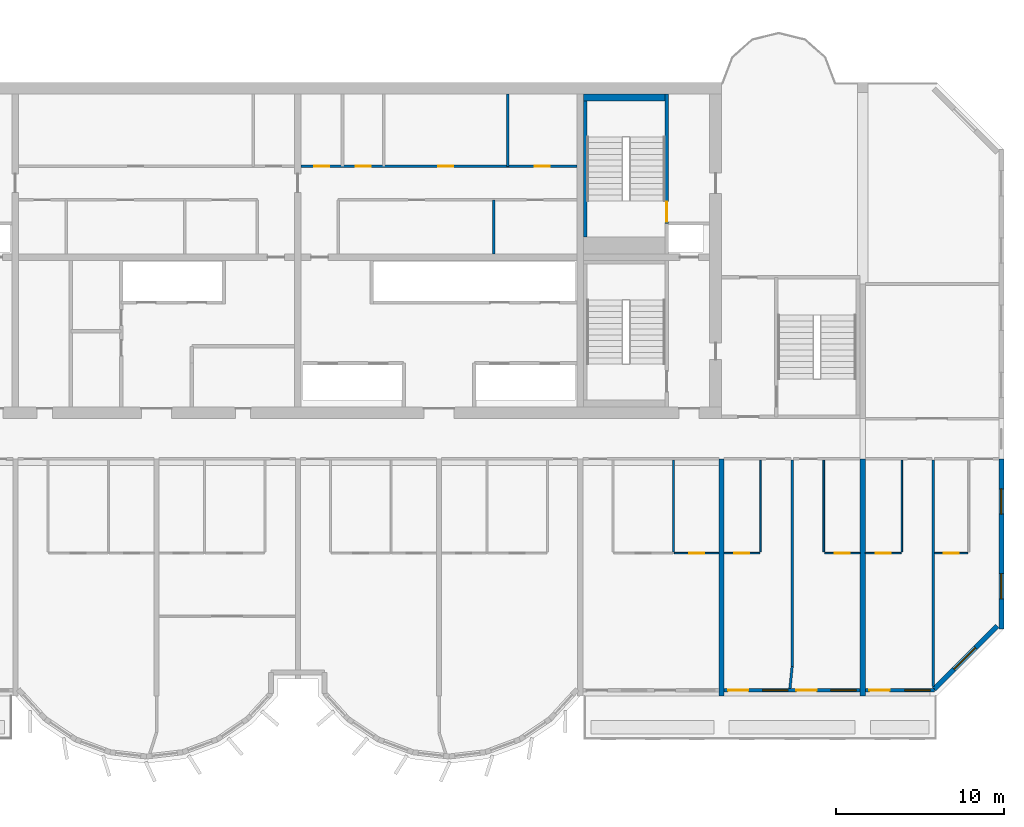
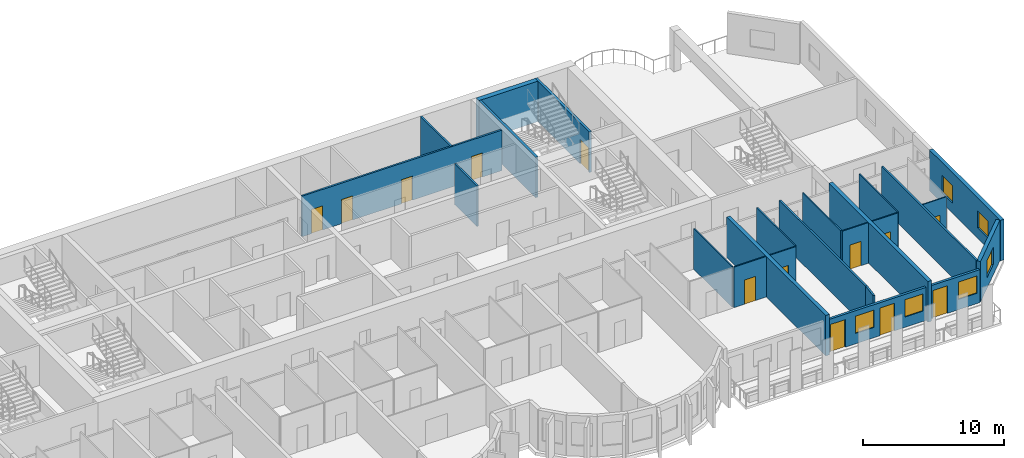
# One storey, part 8 of 13: 24 walls, 13 doors, 6 windows, 19 openings.
"""IFC4 building model written with IfcOpenShell, lengths in metres."""

from ifc_helpers import new_model, si_unit, direction, frame, frame_2d, origin, place, context, subcontext, project, spatial, rectangle, extrude, source, transform, mapped, material, layer, layer_set, type_object, element, fill, save


model = new_model("IFC4")

# Units and contexts
model_context = context("Model", 3, precision=1e-05, world=origin(), true_north=direction((0.0, 1.0)))
body_context = subcontext(model_context, "Body", "Model", "MODEL_VIEW")
ifc_project = project(units=[si_unit("LENGTHUNIT", "METRE"), si_unit("AREAUNIT", "SQUARE_METRE"), si_unit("VOLUMEUNIT", "CUBIC_METRE"), si_unit("PLANEANGLEUNIT", "RADIAN"), si_unit("MASSUNIT", "GRAM", prefix="KILO")], contexts=[model_context])

# Site, building, storey
site_placement = place(None, origin())
site = spatial("IfcSite", under=ifc_project, at=site_placement, CompositionType="ELEMENT")
building_placement = place(site_placement, origin())
building = spatial("IfcBuilding", under=site, at=building_placement, Name="Vanashikhar Sky Hotel", CompositionType="ELEMENT")
storey_placement = place(building_placement, frame((0.0, 0.0, 185.800048828125)))
storey = spatial("IfcBuildingStorey", under=building, at=storey_placement, Name="L45", CompositionType="ELEMENT", Elevation=185.800048828125)

# Wall, openings, windows
ifc_material_1 = material(Name="Concrete M60", Category="concrete")
ifc_layer_1 = layer(ifc_material_1, 0.300048828125)
ifc_layer_set_1 = layer_set([ifc_layer_1], Name="RC shear wall 300 Concrete M60")
wall_type_1 = type_object("IfcWallType", Name="RC shear wall 300 Concrete M60", PredefinedType="SHEAR", material=ifc_layer_set_1)
shared_shape_1 = source(origin(), body_context, "Body", "SweptSolid", [
    extrude(rectangle(XDim=10.10009765625, YDim=0.300048828125, at=frame_2d((5.050048828125, 0.0))), origin(), (0.0, 0.0, 1.0), 3.52001953125),
])
wall_1_placement = place(storey_placement, frame((92.25, 9.5, 0.0), z_axis=(0.0, 0.0, 1.0), x_axis=(0.0, 1.0, 0.0)))
wall_1 = element("IfcWall", 1, at=wall_1_placement, inside=storey, type_object=wall_type_1, Name="CW-L45-XW12-1", PredefinedType="SHEAR", context=body_context, shape_type="MappedRepresentation", body=[
    mapped(shared_shape_1, transform((0.0, 0.0, 0.0), scale=1.0)),
])
shared_shape_2 = source(origin(), body_context, "Body", "SweptSolid", [
    extrude(rectangle(XDim=1.5, YDim=1.5, at=frame_2d((0.75, 0.75))), frame((0.0, 0.16015625, 0.0), z_axis=(0.0, -1.0, 0.0), x_axis=(1.0, 0.0, 0.0)), (0.0, 0.0, 1.0), 0.320068359375),
])
opening_1_placement = place(wall_1_placement, frame((1.77490234375, 0.0, 0.89990234375)))
opening_1 = element("IfcOpeningElement", 2, at=opening_1_placement, cuts=wall_1, Name="Opening WN-1", PredefinedType="OPENING", context=body_context, shape_type="MappedRepresentation", body=[
    mapped(shared_shape_2, transform((0.0, 0.0, 0.0), scale=1.0)),
])
opening_2_placement = place(wall_1_placement, frame((6.824951171875, 0.0, 0.89990234375)))
opening_2 = element("IfcOpeningElement", 3, at=opening_2_placement, cuts=wall_1, Name="Opening WN-1", PredefinedType="OPENING", context=body_context, shape_type="MappedRepresentation", body=[
    mapped(shared_shape_2, transform((0.0, 0.0, 0.0), scale=1.0)),
])
ifc_material_2 = material(Name="Glass", Category="glass")
window_type_1 = type_object("IfcWindowType", Name="Window 1500 x 1500", PartitioningType="SINGLE_PANEL", PredefinedType="WINDOW", material=ifc_material_2)
shared_shape_3 = source(origin(), body_context, "Body", "SweptSolid", [
    extrude(rectangle(XDim=1.5, YDim=1.5, at=frame_2d((0.75, 0.75))), frame((0.0, 0.030029296875, 0.0), z_axis=(0.0, -1.0, 0.0), x_axis=(1.0, 0.0, 0.0)), (0.0, 0.0, 1.0), 0.06005859375),
])
window_1_placement = place(opening_1_placement, origin())
window_1 = element("IfcWindow", 4, at=window_1_placement, inside=storey, type_object=window_type_1, Name="Window WN-1", OverallHeight=1.5, OverallWidth=1.5, PartitioningType="SINGLE_PANEL", PredefinedType="WINDOW", context=body_context, shape_type="MappedRepresentation", body=[
    mapped(shared_shape_3, transform((0.0, 0.0, 0.0), scale=1.0)),
])
fill(opening_1, window_1)
window_2_placement = place(opening_2_placement, origin())
window_2 = element("IfcWindow", 5, at=window_2_placement, inside=storey, type_object=window_type_1, Name="Window WN-1", OverallHeight=1.5, OverallWidth=1.5, PartitioningType="SINGLE_PANEL", PredefinedType="WINDOW", context=body_context, shape_type="MappedRepresentation", body=[
    mapped(shared_shape_3, transform((0.0, 0.0, 0.0), scale=1.0)),
])
fill(opening_2, window_2)

# Walls
shared_shape_4 = source(origin(), body_context, "Body", "SweptSolid", [
    extrude(rectangle(XDim=14.10009765625, YDim=0.300048828125, at=frame_2d((7.050048828125, 0.0))), origin(), (0.0, 0.0, 1.0), 3.52001953125),
])
for number, where, z_axis, x_axis, name in (
    (6, (75.60009765625, 5.5, 0.0), (0.0, 0.0, 1.0), (0.0, 1.0, 0.0), "CW-L45-XW10-1"),
    (7, (84.0, 5.5, 0.0), (0.0, 0.0, 1.0), (0.0, 1.0, 0.0), "CW-L45-XW11-1"),
):
    element("IfcWall", number, at=place(storey_placement, frame(where, z_axis=z_axis, x_axis=x_axis)), inside=storey, type_object=wall_type_1, Name=name, PredefinedType="SHEAR", context=body_context, shape_type="MappedRepresentation", body=[
        mapped(shared_shape_4, transform((0.0, 0.0, 0.0), scale=1.0)),
    ])

# Wall, opening, window
ifc_material_3 = material(Name="Concrete M50", Category="concrete")
ifc_layer_2 = layer(ifc_material_3, 0.300048828125)
ifc_layer_set_2 = layer_set([ifc_layer_2], Name="Lobe wall 300")
wall_type_2 = type_object("IfcWallType", Name="Lobe wall 300", PredefinedType="SOLIDWALL", material=ifc_layer_set_2)
shared_shape_5 = source(origin(), body_context, "Body", "SweptSolid", [
    extrude(rectangle(XDim=5.32568359375, YDim=0.300048828125, at=frame_2d((2.662841796875, 0.0))), origin(), (0.0, 0.0, 1.0), 3.52001953125),
])
wall_2_placement = place(storey_placement, frame((88.234375, 5.89990234375, 0.0), z_axis=(0.0, 0.0, 1.0), x_axis=(0.707083859269, 0.707129702361, 0.0)))
wall_2 = element("IfcWall", 8, at=wall_2_placement, inside=storey, type_object=wall_type_2, Name="Corner wall", PredefinedType="SOLIDWALL", context=body_context, shape_type="MappedRepresentation", body=[
    mapped(shared_shape_5, transform((0.0, 0.0, 0.0), scale=1.0)),
])
shared_shape_6 = source(origin(), body_context, "Body", "SweptSolid", [
    extrude(rectangle(XDim=1.800048828125, YDim=1.5, at=frame_2d((0.89990234375, 0.75))), frame((0.0, 0.16015625, 0.0), z_axis=(0.0, -1.0, 0.0), x_axis=(1.0, 0.0, 0.0)), (0.0, 0.0, 1.0), 0.320068359375),
])
opening_3_placement = place(wall_2_placement, frame((1.689453125, 0.0, 0.89990234375)))
opening_3 = element("IfcOpeningElement", 9, at=opening_3_placement, cuts=wall_2, Name="Opening WN-4", PredefinedType="OPENING", context=body_context, shape_type="MappedRepresentation", body=[
    mapped(shared_shape_6, transform((0.0, 0.0, 0.0), scale=1.0)),
])
window_type_2 = type_object("IfcWindowType", Name="Corner window 1800 x 1500", PartitioningType="SINGLE_PANEL", PredefinedType="WINDOW", material=ifc_material_2)
shared_shape_7 = source(origin(), body_context, "Body", "SweptSolid", [
    extrude(rectangle(XDim=1.800048828125, YDim=1.5, at=frame_2d((0.89990234375, 0.75))), frame((0.0, 0.030029296875, 0.0), z_axis=(0.0, -1.0, 0.0), x_axis=(1.0, 0.0, 0.0)), (0.0, 0.0, 1.0), 0.06005859375),
])
window_3_placement = place(opening_3_placement, origin())
window_3 = element("IfcWindow", 10, at=window_3_placement, inside=storey, type_object=window_type_2, Name="Window WN-4", OverallHeight=1.5, OverallWidth=1.800048828125, PartitioningType="SINGLE_PANEL", PredefinedType="WINDOW", context=body_context, shape_type="MappedRepresentation", body=[
    mapped(shared_shape_7, transform((0.0, 0.0, 0.0), scale=1.0)),
])
fill(opening_3, window_3)

# Wall, openings, window, door
ifc_layer_3 = layer(ifc_material_3, 0.199951171875)
ifc_layer_set_3 = layer_set([ifc_layer_3], Name="Front window wall 200")
wall_type_3 = type_object("IfcWallType", Name="Front window wall 200", PredefinedType="SOLIDWALL", material=ifc_layer_set_3)
shared_shape_8 = source(origin(), body_context, "Body", "SweptSolid", [
    extrude(rectangle(XDim=4.10498046875, YDim=0.199951171875, at=frame_2d((2.052490234375, 0.0))), origin(), (0.0, 0.0, 1.0), 2.869873046875),
])
wall_3_placement = place(storey_placement, frame((84.14990234375, 5.85009765625, 0.0), z_axis=(0.0, 0.0, 1.0), x_axis=(1.0, 0.0, 0.0)))
wall_3 = element("IfcWall", 11, at=wall_3_placement, inside=storey, type_object=wall_type_3, Name="Front window wall", PredefinedType="SOLIDWALL", context=body_context, shape_type="MappedRepresentation", body=[
    mapped(shared_shape_8, transform((0.0, 0.0, 0.0), scale=1.0)),
])
shared_shape_9 = source(origin(), body_context, "Body", "SweptSolid", [
    extrude(rectangle(XDim=1.199951171875, YDim=2.39990234375, at=frame_2d((0.60009765625, 1.199951171875))), frame((0.0, 0.10986328125, 0.0), z_axis=(0.0, -1.0, 0.0), x_axis=(1.0, 0.0, 0.0)), (0.0, 0.0, 1.0), 0.219970703125),
])
opening_4_placement = place(wall_3_placement, frame((0.25, 0.0, 0.0)))
opening_4 = element("IfcOpeningElement", 12, at=opening_4_placement, cuts=wall_3, Name="Opening BD-10", PredefinedType="OPENING", context=body_context, shape_type="MappedRepresentation", body=[
    mapped(shared_shape_9, transform((0.0, 0.0, 0.0), scale=1.0)),
])
shared_shape_10 = source(origin(), body_context, "Body", "SweptSolid", [
    extrude(rectangle(XDim=1.5, YDim=1.5, at=frame_2d((0.75, 0.75))), frame((0.0, 0.10986328125, 0.0), z_axis=(0.0, -1.0, 0.0), x_axis=(1.0, 0.0, 0.0)), (0.0, 0.0, 1.0), 0.219970703125),
])
opening_5_placement = place(wall_3_placement, frame((2.35498046875, 0.0, 0.89990234375)))
opening_5 = element("IfcOpeningElement", 13, at=opening_5_placement, cuts=wall_3, Name="Opening WN-1", PredefinedType="OPENING", context=body_context, shape_type="MappedRepresentation", body=[
    mapped(shared_shape_10, transform((0.0, 0.0, 0.0), scale=1.0)),
])
window_4_placement = place(opening_5_placement, origin())
window_4 = element("IfcWindow", 14, at=window_4_placement, inside=storey, type_object=window_type_1, Name="Window WN-1", OverallHeight=1.5, OverallWidth=1.5, PartitioningType="SINGLE_PANEL", PredefinedType="WINDOW", context=body_context, shape_type="MappedRepresentation", body=[
    mapped(shared_shape_3, transform((0.0, 0.0, 0.0), scale=1.0)),
])
fill(opening_5, window_4)
ifc_material_4 = material(Name="Aluminium", Category="aluminium")
door_type_1 = type_object("IfcDoorType", Name="Balcony sliding door 1200 x 2400", OperationType="NOTDEFINED", PredefinedType="DOOR", material=ifc_material_4)
shared_shape_11 = source(origin(), body_context, "Body", "SweptSolid", [
    extrude(rectangle(XDim=1.199951171875, YDim=2.39990234375, at=frame_2d((0.60009765625, 1.199951171875))), frame((0.0, 0.02490234375, 0.0), z_axis=(0.0, -1.0, 0.0), x_axis=(1.0, 0.0, 0.0)), (0.0, 0.0, 1.0), 0.050048828125),
])
door_1_placement = place(opening_4_placement, origin())
door_1 = element("IfcDoor", 15, at=door_1_placement, inside=storey, type_object=door_type_1, Name="Balcony sliding door", OperationType="SLIDING_TO_RIGHT", OverallHeight=2.39990234375, OverallWidth=1.199951171875, PredefinedType="DOOR", context=body_context, shape_type="MappedRepresentation", body=[
    mapped(shared_shape_11, transform((0.0, 0.0, 0.0), scale=1.0)),
])
fill(opening_4, door_1)

# Wall, openings, windows, doors
shared_shape_12 = source(origin(), body_context, "Body", "SweptSolid", [
    extrude(rectangle(XDim=8.10009765625, YDim=0.199951171875, at=frame_2d((4.050048828125, 0.0))), origin(), (0.0, 0.0, 1.0), 2.869873046875),
])
wall_4_placement = place(storey_placement, frame((75.75, 5.85009765625, 0.0), z_axis=(0.0, 0.0, 1.0), x_axis=(1.0, 0.0, 0.0)))
wall_4 = element("IfcWall", 16, at=wall_4_placement, inside=storey, type_object=wall_type_3, Name="Front window wall", PredefinedType="SOLIDWALL", context=body_context, shape_type="MappedRepresentation", body=[
    mapped(shared_shape_12, transform((0.0, 0.0, 0.0), scale=1.0)),
])
opening_6_placement = place(wall_4_placement, frame((0.25, 0.0, 0.0)))
opening_6 = element("IfcOpeningElement", 17, at=opening_6_placement, cuts=wall_4, Name="Opening BD-08", PredefinedType="OPENING", context=body_context, shape_type="MappedRepresentation", body=[
    mapped(shared_shape_9, transform((0.0, 0.0, 0.0), scale=1.0)),
])
opening_7_placement = place(wall_4_placement, frame((2.300048828125, 0.0, 0.89990234375)))
opening_7 = element("IfcOpeningElement", 18, at=opening_7_placement, cuts=wall_4, Name="Opening WN-1", PredefinedType="OPENING", context=body_context, shape_type="MappedRepresentation", body=[
    mapped(shared_shape_10, transform((0.0, 0.0, 0.0), scale=1.0)),
])
opening_8_placement = place(wall_4_placement, frame((4.300048828125, 0.0, 0.0)))
opening_8 = element("IfcOpeningElement", 19, at=opening_8_placement, cuts=wall_4, Name="Opening BD-09", PredefinedType="OPENING", context=body_context, shape_type="MappedRepresentation", body=[
    mapped(shared_shape_9, transform((0.0, 0.0, 0.0), scale=1.0)),
])
opening_9_placement = place(wall_4_placement, frame((6.35009765625, 0.0, 0.89990234375)))
opening_9 = element("IfcOpeningElement", 20, at=opening_9_placement, cuts=wall_4, Name="Opening WN-1", PredefinedType="OPENING", context=body_context, shape_type="MappedRepresentation", body=[
    mapped(shared_shape_10, transform((0.0, 0.0, 0.0), scale=1.0)),
])
window_5_placement = place(opening_7_placement, origin())
window_5 = element("IfcWindow", 21, at=window_5_placement, inside=storey, type_object=window_type_1, Name="Window WN-1", OverallHeight=1.5, OverallWidth=1.5, PartitioningType="SINGLE_PANEL", PredefinedType="WINDOW", context=body_context, shape_type="MappedRepresentation", body=[
    mapped(shared_shape_3, transform((0.0, 0.0, 0.0), scale=1.0)),
])
fill(opening_7, window_5)
window_6_placement = place(opening_9_placement, origin())
window_6 = element("IfcWindow", 22, at=window_6_placement, inside=storey, type_object=window_type_1, Name="Window WN-1", OverallHeight=1.5, OverallWidth=1.5, PartitioningType="SINGLE_PANEL", PredefinedType="WINDOW", context=body_context, shape_type="MappedRepresentation", body=[
    mapped(shared_shape_3, transform((0.0, 0.0, 0.0), scale=1.0)),
])
fill(opening_9, window_6)
door_2_placement = place(opening_6_placement, origin())
door_2 = element("IfcDoor", 23, at=door_2_placement, inside=storey, type_object=door_type_1, Name="Balcony sliding door", OperationType="SLIDING_TO_RIGHT", OverallHeight=2.39990234375, OverallWidth=1.199951171875, PredefinedType="DOOR", context=body_context, shape_type="MappedRepresentation", body=[
    mapped(shared_shape_11, transform((0.0, 0.0, 0.0), scale=1.0)),
])
fill(opening_6, door_2)
door_3_placement = place(opening_8_placement, origin())
door_3 = element("IfcDoor", 24, at=door_3_placement, inside=storey, type_object=door_type_1, Name="Balcony sliding door", OperationType="SLIDING_TO_LEFT", OverallHeight=2.39990234375, OverallWidth=1.199951171875, PredefinedType="DOOR", context=body_context, shape_type="MappedRepresentation", body=[
    mapped(shared_shape_11, transform((0.0, 0.0, 0.0), scale=1.0)),
])
fill(opening_8, door_3)

# Walls
ifc_layer_4 = layer(ifc_material_3, 0.199951171875)
ifc_layer_set_4 = layer_set([ifc_layer_4], Name="Stair infill wall 200")
wall_type_4 = type_object("IfcWallType", Name="Stair infill wall 200", PredefinedType="SOLIDWALL", material=ifc_layer_set_4)
shared_shape_13 = source(origin(), body_context, "Body", "SweptSolid", [
    extrude(rectangle(XDim=8.099853515625, YDim=0.199951171875, at=frame_2d((4.0498046875, 0.0))), origin(), (0.0, 0.0, 1.0), 3.52001953125),
])
wall_5_placement = place(storey_placement, frame((67.5, 32.800048828125, 0.0), z_axis=(0.0, 0.0, 1.0), x_axis=(0.0, 1.0, 0.0)))
element("IfcWall", 25, at=wall_5_placement, inside=storey, type_object=wall_type_4, Name="Stair infill wall 200", PredefinedType="SOLIDWALL", context=body_context, shape_type="MappedRepresentation", body=[
    mapped(shared_shape_13, transform((0.0, 0.0, 0.0), scale=1.0)),
])
ifc_material_5 = material(Name="Gypsum board partition")
ifc_layer_5 = layer(ifc_material_5, 0.14990234375)
ifc_layer_set_5 = layer_set([ifc_layer_5], Name="Service partition 150")
wall_type_5 = type_object("IfcWallType", Name="Service partition 150", PredefinedType="PARTITIONING", material=ifc_layer_set_5)
shared_shape_14 = source(origin(), body_context, "Body", "SweptSolid", [
    extrude(rectangle(XDim=3.199951171875, YDim=0.14990234375, at=frame_2d((1.60009765625, 0.0))), origin(), (0.0, 0.0, 1.0), 3.52001953125),
])
wall_6_placement = place(storey_placement, frame((62.055908203125, 31.800048828125, 0.0), z_axis=(0.0, 0.0, 1.0), x_axis=(0.0, 1.0, 0.0)))
element("IfcWall", 26, at=wall_6_placement, inside=storey, type_object=wall_type_5, Name="Service partition 150", PredefinedType="PARTITIONING", context=body_context, shape_type="MappedRepresentation", body=[
    mapped(shared_shape_14, transform((0.0, 0.0, 0.0), scale=1.0)),
])

# Wall, openings, doors
shared_shape_15 = source(origin(), body_context, "Body", "SweptSolid", [
    extrude(rectangle(XDim=16.39990234375, YDim=0.14990234375, at=frame_2d((8.199951171875, 0.0))), origin(), (0.0, 0.0, 1.0), 3.52001953125),
])
wall_7_placement = place(storey_placement, frame((67.0, 37.0, 0.0), z_axis=(0.0, 0.0, 1.0), x_axis=(-1.0, 0.0, 0.0)))
wall_7 = element("IfcWall", 27, at=wall_7_placement, inside=storey, type_object=wall_type_5, Name="Service partition 150", PredefinedType="PARTITIONING", context=body_context, shape_type="MappedRepresentation", body=[
    mapped(shared_shape_15, transform((0.0, 0.0, 0.0), scale=1.0)),
])
shared_shape_16 = source(origin(), body_context, "Body", "SweptSolid", [
    extrude(rectangle(XDim=0.89990234375, YDim=2.10009765625, at=frame_2d((0.449951171875, 1.050048828125))), frame((0.0, 0.0849609375, 0.0), z_axis=(0.0, -1.0, 0.0), x_axis=(1.0, 0.0, 0.0)), (0.0, 0.0, 1.0), 0.169921875),
])
opening_10_placement = place(wall_7_placement, frame((1.60009765625, 0.0, 0.0)))
opening_10 = element("IfcOpeningElement", 28, at=opening_10_placement, cuts=wall_7, Name="Opening DC-4-A", PredefinedType="OPENING", context=body_context, shape_type="MappedRepresentation", body=[
    mapped(shared_shape_16, transform((0.0, 0.0, 0.0), scale=1.0)),
])
opening_11_placement = place(wall_7_placement, frame((7.340087890625, 0.0, 0.0)))
opening_11 = element("IfcOpeningElement", 29, at=opening_11_placement, cuts=wall_7, Name="Opening DC-4-A", PredefinedType="OPENING", context=body_context, shape_type="MappedRepresentation", body=[
    mapped(shared_shape_16, transform((0.0, 0.0, 0.0), scale=1.0)),
])
opening_12_placement = place(wall_7_placement, frame((12.260009765625, 0.0, 0.0)))
opening_12 = element("IfcOpeningElement", 30, at=opening_12_placement, cuts=wall_7, Name="Opening DC-4-A", PredefinedType="OPENING", context=body_context, shape_type="MappedRepresentation", body=[
    mapped(shared_shape_16, transform((0.0, 0.0, 0.0), scale=1.0)),
])
opening_13_placement = place(wall_7_placement, frame((14.719970703125, 0.0, 0.0)))
opening_13 = element("IfcOpeningElement", 31, at=opening_13_placement, cuts=wall_7, Name="Opening DC-4-A", PredefinedType="OPENING", context=body_context, shape_type="MappedRepresentation", body=[
    mapped(shared_shape_16, transform((0.0, 0.0, 0.0), scale=1.0)),
])
ifc_material_6 = material(Name="Steel", Category="steel")
door_type_2 = type_object("IfcDoorType", Name="Service door 900 FD60", OperationType="NOTDEFINED", PredefinedType="DOOR", material=ifc_material_6)
shared_shape_17 = source(origin(), body_context, "Body", "SweptSolid", [
    extrude(rectangle(XDim=0.89990234375, YDim=2.10009765625, at=frame_2d((0.449951171875, 1.050048828125))), frame((0.0, 0.02490234375, 0.0), z_axis=(0.0, -1.0, 0.0), x_axis=(1.0, 0.0, 0.0)), (0.0, 0.0, 1.0), 0.050048828125),
])
door_4_placement = place(opening_10_placement, origin())
door_4 = element("IfcDoor", 32, at=door_4_placement, inside=storey, type_object=door_type_2, Name="Service door 900 FD60", OperationType="SINGLE_SWING_RIGHT", OverallHeight=2.10009765625, OverallWidth=0.89990234375, PredefinedType="DOOR", context=body_context, shape_type="MappedRepresentation", body=[
    mapped(shared_shape_17, transform((0.0, 0.0, 0.0), scale=1.0)),
])
fill(opening_10, door_4)
door_5_placement = place(opening_11_placement, origin())
door_5 = element("IfcDoor", 33, at=door_5_placement, inside=storey, type_object=door_type_2, Name="Service door 900 FD60", OperationType="SINGLE_SWING_LEFT", OverallHeight=2.10009765625, OverallWidth=0.89990234375, PredefinedType="DOOR", context=body_context, shape_type="MappedRepresentation", body=[
    mapped(shared_shape_17, transform((0.0, 0.0, 0.0), scale=1.0)),
])
fill(opening_11, door_5)
door_6_placement = place(opening_12_placement, origin())
door_6 = element("IfcDoor", 34, at=door_6_placement, inside=storey, type_object=door_type_2, Name="Service door 900 FD60", OperationType="SINGLE_SWING_LEFT", OverallHeight=2.10009765625, OverallWidth=0.89990234375, PredefinedType="DOOR", context=body_context, shape_type="MappedRepresentation", body=[
    mapped(shared_shape_17, transform((0.0, 0.0, 0.0), scale=1.0)),
])
fill(opening_12, door_6)
door_7_placement = place(opening_13_placement, origin())
door_7 = element("IfcDoor", 35, at=door_7_placement, inside=storey, type_object=door_type_2, Name="Service door 900 FD60", OperationType="SINGLE_SWING_LEFT", OverallHeight=2.10009765625, OverallWidth=0.89990234375, PredefinedType="DOOR", context=body_context, shape_type="MappedRepresentation", body=[
    mapped(shared_shape_17, transform((0.0, 0.0, 0.0), scale=1.0)),
])
fill(opening_13, door_7)

# Wall
shared_shape_18 = source(origin(), body_context, "Body", "SweptSolid", [
    extrude(rectangle(XDim=4.300048828125, YDim=0.14990234375, at=frame_2d((2.14990234375, 0.0))), origin(), (0.0, 0.0, 1.0), 3.52001953125),
])
wall_8_placement = place(storey_placement, frame((62.89990234375, 37.0, 0.0), z_axis=(0.0, 0.0, 1.0), x_axis=(0.0, 1.0, 0.0)))
element("IfcWall", 36, at=wall_8_placement, inside=storey, type_object=wall_type_5, Name="Service partition 150", PredefinedType="PARTITIONING", context=body_context, shape_type="MappedRepresentation", body=[
    mapped(shared_shape_18, transform((0.0, 0.0, 0.0), scale=1.0)),
])

# Wall, opening, door
ifc_layer_6 = layer(ifc_material_3, 0.199951171875)
ifc_layer_set_6 = layer_set([ifc_layer_6], Name="Stair wall 200")
wall_type_6 = type_object("IfcWallType", Name="Stair wall 200", PredefinedType="SOLIDWALL", material=ifc_layer_set_6)
shared_shape_19 = source(origin(), body_context, "Body", "SweptSolid", [
    extrude(rectangle(XDim=7.699951171875, YDim=0.199951171875, at=frame_2d((3.85009765625, 0.0))), origin(), (0.0, 0.0, 1.0), 3.52001953125),
])
wall_9_placement = place(storey_placement, frame((72.35009765625, 33.60009765625, 0.0), z_axis=(0.0, 0.0, 1.0), x_axis=(0.0, 1.0, 0.0)))
wall_9 = element("IfcWall", 37, at=wall_9_placement, inside=storey, type_object=wall_type_6, Name="Stair wall 200", PredefinedType="SOLIDWALL", context=body_context, shape_type="MappedRepresentation", body=[
    mapped(shared_shape_19, transform((0.0, 0.0, 0.0), scale=1.0)),
])
shared_shape_20 = source(origin(), body_context, "Body", "SweptSolid", [
    extrude(rectangle(XDim=1.199951171875, YDim=2.10009765625, at=frame_2d((0.60009765625, 1.050048828125))), frame((0.0, 0.10986328125, 0.0), z_axis=(0.0, -1.0, 0.0), x_axis=(1.0, 0.0, 0.0)), (0.0, 0.0, 1.0), 0.219970703125),
])
opening_14_placement = place(wall_9_placement, frame((0.10009765625, 0.0, 0.0)))
opening_14 = element("IfcOpeningElement", 38, at=opening_14_placement, cuts=wall_9, Name="Opening DC-1", PredefinedType="OPENING", context=body_context, shape_type="MappedRepresentation", body=[
    mapped(shared_shape_20, transform((0.0, 0.0, 0.0), scale=1.0)),
])
door_type_3 = type_object("IfcDoorType", Name="Stair door 1200 FD120", OperationType="NOTDEFINED", PredefinedType="DOOR", material=ifc_material_6)
shared_shape_21 = source(origin(), body_context, "Body", "SweptSolid", [
    extrude(rectangle(XDim=1.199951171875, YDim=2.10009765625, at=frame_2d((0.60009765625, 1.050048828125))), frame((0.0, 0.02490234375, 0.0), z_axis=(0.0, -1.0, 0.0), x_axis=(1.0, 0.0, 0.0)), (0.0, 0.0, 1.0), 0.050048828125),
])
door_8_placement = place(opening_14_placement, origin())
door_8 = element("IfcDoor", 39, at=door_8_placement, inside=storey, type_object=door_type_3, Name="Stair door 1200 FD120", OperationType="SINGLE_SWING_LEFT", OverallHeight=2.10009765625, OverallWidth=1.199951171875, PredefinedType="DOOR", context=body_context, shape_type="MappedRepresentation", body=[
    mapped(shared_shape_21, transform((0.0, 0.0, 0.0), scale=1.0)),
])
fill(opening_14, door_8)

# Walls
ifc_layer_7 = layer(ifc_material_3, 0.39990234375)
ifc_layer_set_7 = layer_set([ifc_layer_7], Name="Stair infill wall 400")
wall_type_7 = type_object("IfcWallType", Name="Stair infill wall 400", PredefinedType="SOLIDWALL", material=ifc_layer_set_7)
shared_shape_22 = source(origin(), body_context, "Body", "SweptSolid", [
    extrude(rectangle(XDim=4.85009765625, YDim=0.39990234375, at=frame_2d((2.425048828125, 0.0))), origin(), (0.0, 0.0, 1.0), 3.52001953125),
])
wall_10_placement = place(storey_placement, frame((67.39990234375, 41.10009765625, 0.0), z_axis=(0.0, 0.0, 1.0), x_axis=(1.0, 0.0, 0.0)))
element("IfcWall", 40, at=wall_10_placement, inside=storey, type_object=wall_type_7, Name="Stair infill wall 400", PredefinedType="SOLIDWALL", context=body_context, shape_type="MappedRepresentation", body=[
    mapped(shared_shape_22, transform((0.0, 0.0, 0.0), scale=1.0)),
])
ifc_material_7 = material(Name="Gypsum plasterboard partition")
ifc_layer_8 = layer(ifc_material_7, 0.10009765625)
ifc_layer_set_8 = layer_set([ifc_layer_8], Name="Wet room partition 100")
wall_type_8 = type_object("IfcWallType", Name="Wet room partition 100", PredefinedType="PARTITIONING", material=ifc_layer_set_8)
shared_shape_23 = source(origin(), body_context, "Body", "SweptSolid", [
    extrude(rectangle(XDim=5.449951171875, YDim=0.10009765625, at=frame_2d((2.72509765625, 0.0))), origin(), (0.0, 0.0, 1.0), 3.52001953125),
])
for number, where, z_axis, x_axis, name in (
    (41, (72.75, 14.074951171875, 0.0), (0.0, 0.0, 1.0), (0.0, 1.0, 0.0), "W-L45-PW040"),
    (42, (77.925048828125, 14.074951171875, 0.0), (0.0, 0.0, 1.0), (0.0, 1.0, 0.0), "W-L45-PW044"),
    (43, (81.675048828125, 14.074951171875, 0.0), (0.0, 0.0, 1.0), (0.0, 1.0, 0.0), "W-L45-PW047"),
    (44, (86.324951171875, 14.074951171875, 0.0), (0.0, 0.0, 1.0), (0.0, 1.0, 0.0), "W-L45-PW051"),
):
    element("IfcWall", number, at=place(storey_placement, frame(where, z_axis=z_axis, x_axis=x_axis)), inside=storey, type_object=wall_type_8, Name=name, PredefinedType="PARTITIONING", context=body_context, shape_type="MappedRepresentation", body=[
        mapped(shared_shape_23, transform((0.0, 0.0, 0.0), scale=1.0)),
    ])
ifc_layer_9 = layer(ifc_material_7, 0.14990234375)
ifc_layer_set_9 = layer_set([ifc_layer_9], Name="Corridor and demising partition 150")
wall_type_9 = type_object("IfcWallType", Name="Corridor and demising partition 150", PredefinedType="PARTITIONING", material=ifc_layer_set_9)
shared_shape_24 = source(origin(), body_context, "Body", "SweptSolid", [
    extrude(rectangle(XDim=13.447021484375, YDim=0.14990234375, at=frame_2d((6.7236328125, 0.0))), origin(), (0.0, 0.0, 1.0), 3.52001953125),
])
wall_11_placement = place(storey_placement, frame((88.199951171875, 6.077880859375, 0.0), z_axis=(0.0, 0.0, 1.0), x_axis=(0.0, 1.0, 0.0)))
element("IfcWall", 45, at=wall_11_placement, inside=storey, type_object=wall_type_9, Name="W-L45-PW057", PredefinedType="PARTITIONING", context=body_context, shape_type="MappedRepresentation", body=[
    mapped(shared_shape_24, transform((0.0, 0.0, 0.0), scale=1.0)),
])
shared_shape_25 = source(origin(), body_context, "Body", "SweptSolid", [
    extrude(rectangle(XDim=12.27490234375, YDim=0.14990234375, at=frame_2d((6.137451171875, 0.0))), origin(), (0.0, 0.0, 1.0), 3.52001953125),
])
wall_12_placement = place(storey_placement, frame((79.800048828125, 7.25, 0.0), z_axis=(0.0, 0.0, 1.0), x_axis=(0.0, 1.0, 0.0)))
element("IfcWall", 46, at=wall_12_placement, inside=storey, type_object=wall_type_9, Name="W-L45-PW050", PredefinedType="PARTITIONING", context=body_context, shape_type="MappedRepresentation", body=[
    mapped(shared_shape_25, transform((0.0, 0.0, 0.0), scale=1.0)),
])
shared_shape_26 = source(origin(), body_context, "Body", "SweptSolid", [
    extrude(rectangle(XDim=1.306640625, YDim=0.14990234375, at=frame_2d((0.6533203125, 0.0))), origin(), (0.0, 0.0, 1.0), 3.52001953125),
])
wall_13_placement = place(storey_placement, frame((79.669921875, 5.949951171875, 0.0), z_axis=(0.0, 0.0, 1.0), x_axis=(0.099596223396, 0.99502793543, 0.0)))
element("IfcWall", 47, at=wall_13_placement, inside=storey, type_object=wall_type_9, Name="W-L45-PW050B0", PredefinedType="PARTITIONING", context=body_context, shape_type="MappedRepresentation", body=[
    mapped(shared_shape_26, transform((0.0, 0.0, 0.0), scale=1.0)),
])

# Wall, opening, door
shared_shape_27 = source(origin(), body_context, "Body", "SweptSolid", [
    extrude(rectangle(XDim=2.125, YDim=0.10009765625, at=frame_2d((1.0625, 0.0))), origin(), (0.0, 0.0, 1.0), 3.52001953125),
])
wall_14_placement = place(storey_placement, frame((75.75, 14.0, 0.0), z_axis=(0.0, 0.0, 1.0), x_axis=(1.0, 0.0, 0.0)))
wall_14 = element("IfcWall", 48, at=wall_14_placement, inside=storey, type_object=wall_type_8, Name="W-L45-PW045", PredefinedType="PARTITIONING", context=body_context, shape_type="MappedRepresentation", body=[
    mapped(shared_shape_27, transform((0.0, 0.0, 0.0), scale=1.0)),
])
shared_shape_28 = source(origin(), body_context, "Body", "SweptSolid", [
    extrude(rectangle(XDim=0.89990234375, YDim=2.10009765625, at=frame_2d((0.449951171875, 1.050048828125))), frame((0.0, 0.06005859375, 0.0), z_axis=(0.0, -1.0, 0.0), x_axis=(1.0, 0.0, 0.0)), (0.0, 0.0, 1.0), 0.1201171875),
])
opening_15_placement = place(wall_14_placement, frame((0.612060546875, 0.0, 0.0)))
opening_15 = element("IfcOpeningElement", 49, at=opening_15_placement, cuts=wall_14, Name="Opening D-02", PredefinedType="OPENING", context=body_context, shape_type="MappedRepresentation", body=[
    mapped(shared_shape_28, transform((0.0, 0.0, 0.0), scale=1.0)),
])
ifc_material_8 = material(Name="Timber door", Category="wood")
door_type_4 = type_object("IfcDoorType", Name="Internal door 900", OperationType="NOTDEFINED", PredefinedType="DOOR", material=ifc_material_8)
door_9_placement = place(opening_15_placement, origin())
door_9 = element("IfcDoor", 50, at=door_9_placement, inside=storey, type_object=door_type_4, Name="D-L45-027", OperationType="SINGLE_SWING_RIGHT", OverallHeight=2.10009765625, OverallWidth=0.89990234375, PredefinedType="DOOR", context=body_context, shape_type="MappedRepresentation", body=[
    mapped(shared_shape_17, transform((0.0, 0.0, 0.0), scale=1.0)),
])
fill(opening_15, door_9)

wall_15_placement = place(storey_placement, frame((81.72509765625, 14.0, 0.0), z_axis=(0.0, 0.0, 1.0), x_axis=(1.0, 0.0, 0.0)))
wall_15 = element("IfcWall", 51, at=wall_15_placement, inside=storey, type_object=wall_type_8, Name="W-L45-PW048", PredefinedType="PARTITIONING", context=body_context, shape_type="MappedRepresentation", body=[
    mapped(shared_shape_27, transform((0.0, 0.0, 0.0), scale=1.0)),
])
opening_16_placement = place(wall_15_placement, frame((0.612060546875, 0.0, 0.0)))
opening_16 = element("IfcOpeningElement", 52, at=opening_16_placement, cuts=wall_15, Name="Opening D-02", PredefinedType="OPENING", context=body_context, shape_type="MappedRepresentation", body=[
    mapped(shared_shape_28, transform((0.0, 0.0, 0.0), scale=1.0)),
])
door_10_placement = place(opening_16_placement, origin())
door_10 = element("IfcDoor", 53, at=door_10_placement, inside=storey, type_object=door_type_4, Name="D-L45-029", OperationType="SINGLE_SWING_LEFT", OverallHeight=2.10009765625, OverallWidth=0.89990234375, PredefinedType="DOOR", context=body_context, shape_type="MappedRepresentation", body=[
    mapped(shared_shape_17, transform((0.0, 0.0, 0.0), scale=1.0)),
])
fill(opening_16, door_10)

wall_16_placement = place(storey_placement, frame((84.14990234375, 14.0, 0.0), z_axis=(0.0, 0.0, 1.0), x_axis=(1.0, 0.0, 0.0)))
wall_16 = element("IfcWall", 54, at=wall_16_placement, inside=storey, type_object=wall_type_8, Name="W-L45-PW052", PredefinedType="PARTITIONING", context=body_context, shape_type="MappedRepresentation", body=[
    mapped(shared_shape_27, transform((0.0, 0.0, 0.0), scale=1.0)),
])
opening_17_placement = place(wall_16_placement, frame((0.612060546875, 0.0, 0.0)))
opening_17 = element("IfcOpeningElement", 55, at=opening_17_placement, cuts=wall_16, Name="Opening D-02", PredefinedType="OPENING", context=body_context, shape_type="MappedRepresentation", body=[
    mapped(shared_shape_28, transform((0.0, 0.0, 0.0), scale=1.0)),
])
door_11_placement = place(opening_17_placement, origin())
door_11 = element("IfcDoor", 56, at=door_11_placement, inside=storey, type_object=door_type_4, Name="D-L45-031", OperationType="SINGLE_SWING_RIGHT", OverallHeight=2.10009765625, OverallWidth=0.89990234375, PredefinedType="DOOR", context=body_context, shape_type="MappedRepresentation", body=[
    mapped(shared_shape_17, transform((0.0, 0.0, 0.0), scale=1.0)),
])
fill(opening_17, door_11)

shared_shape_29 = source(origin(), body_context, "Body", "SweptSolid", [
    extrude(rectangle(XDim=2.64990234375, YDim=0.10009765625, at=frame_2d((1.324951171875, 0.0))), origin(), (0.0, 0.0, 1.0), 3.52001953125),
])
wall_17_placement = place(storey_placement, frame((72.800048828125, 14.0, 0.0), z_axis=(0.0, 0.0, 1.0), x_axis=(1.0, 0.0, 0.0)))
wall_17 = element("IfcWall", 57, at=wall_17_placement, inside=storey, type_object=wall_type_8, Name="W-L45-PW042", PredefinedType="PARTITIONING", context=body_context, shape_type="MappedRepresentation", body=[
    mapped(shared_shape_29, transform((0.0, 0.0, 0.0), scale=1.0)),
])
opening_18_placement = place(wall_17_placement, frame((0.875, 0.0, 0.0)))
opening_18 = element("IfcOpeningElement", 58, at=opening_18_placement, cuts=wall_17, Name="Opening D-02", PredefinedType="OPENING", context=body_context, shape_type="MappedRepresentation", body=[
    mapped(shared_shape_28, transform((0.0, 0.0, 0.0), scale=1.0)),
])
door_12_placement = place(opening_18_placement, origin())
door_12 = element("IfcDoor", 59, at=door_12_placement, inside=storey, type_object=door_type_4, Name="D-L45-025", OperationType="SINGLE_SWING_LEFT", OverallHeight=2.10009765625, OverallWidth=0.89990234375, PredefinedType="DOOR", context=body_context, shape_type="MappedRepresentation", body=[
    mapped(shared_shape_17, transform((0.0, 0.0, 0.0), scale=1.0)),
])
fill(opening_18, door_12)

shared_shape_30 = source(origin(), body_context, "Body", "SweptSolid", [
    extrude(rectangle(XDim=1.97509765625, YDim=0.10009765625, at=frame_2d((0.987548828125, 0.0))), origin(), (0.0, 0.0, 1.0), 3.52001953125),
])
wall_18_placement = place(storey_placement, frame((88.27490234375, 14.0, 0.0), z_axis=(0.0, 0.0, 1.0), x_axis=(1.0, 0.0, 0.0)))
wall_18 = element("IfcWall", 60, at=wall_18_placement, inside=storey, type_object=wall_type_8, Name="W-L45-PW055", PredefinedType="PARTITIONING", context=body_context, shape_type="MappedRepresentation", body=[
    mapped(shared_shape_30, transform((0.0, 0.0, 0.0), scale=1.0)),
])
opening_19_placement = place(wall_18_placement, frame((0.537109375, 0.0, 0.0)))
opening_19 = element("IfcOpeningElement", 61, at=opening_19_placement, cuts=wall_18, Name="Opening D-02", PredefinedType="OPENING", context=body_context, shape_type="MappedRepresentation", body=[
    mapped(shared_shape_28, transform((0.0, 0.0, 0.0), scale=1.0)),
])
door_13_placement = place(opening_19_placement, origin())
door_13 = element("IfcDoor", 62, at=door_13_placement, inside=storey, type_object=door_type_4, Name="D-L45-033", OperationType="SINGLE_SWING_RIGHT", OverallHeight=2.10009765625, OverallWidth=0.89990234375, PredefinedType="DOOR", context=body_context, shape_type="MappedRepresentation", body=[
    mapped(shared_shape_17, transform((0.0, 0.0, 0.0), scale=1.0)),
])
fill(opening_19, door_13)

save(model, "model.ifc")
